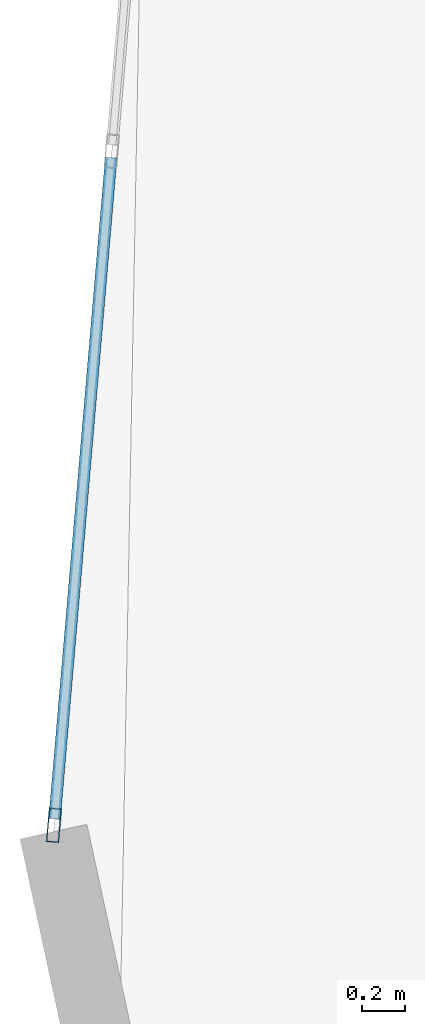
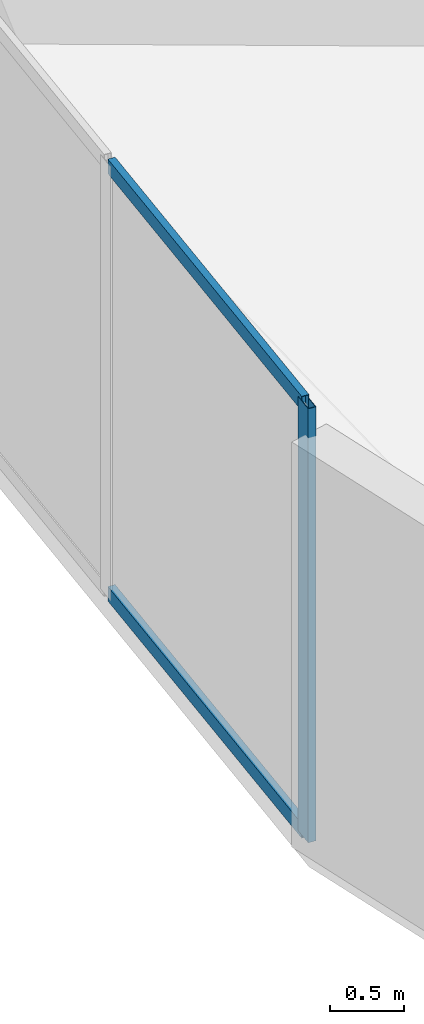
# One storey, part 7 of 23: 3 members, 1 element without a shape of its own.
"""IFC4 building model written with IfcOpenShell, lengths in metres."""

from ifc_helpers import new_model, si_unit, direction, frame, origin, origin_2d, place, context, subcontext, project, spatial, hollow_rectangle, extrude, source, transform, mapped, material, layer, layer_set, material_profile, profile_set, type_object, element, aggregate, save


model = new_model("IFC4")

# Units and contexts
model_context = context("Model", 3, precision=1e-05, world=origin(), true_north=direction((0.0, 1.0)))
body_context = subcontext(model_context, "Body", "Model", "MODEL_VIEW")
ifc_project = project(units=[si_unit("LENGTHUNIT", "METRE"), si_unit("AREAUNIT", "SQUARE_METRE"), si_unit("VOLUMEUNIT", "CUBIC_METRE"), si_unit("PLANEANGLEUNIT", "RADIAN"), si_unit("MASSUNIT", "GRAM", prefix="KILO")], contexts=[model_context])

# Site, building, storey
site_placement = place(None, origin())
site = spatial("IfcSite", under=ifc_project, at=site_placement, CompositionType="ELEMENT")
building_placement = place(site_placement, origin())
building = spatial("IfcBuilding", under=site, at=building_placement, Name="Solvirekh Grand Hotel", CompositionType="ELEMENT")
storey_placement = place(building_placement, frame((0.0, 0.0, 180.39990234375)))
storey = spatial("IfcBuildingStorey", under=building, at=storey_placement, Name="L46", CompositionType="ELEMENT", Elevation=180.39990234375)

# Curtain wall, members
ifc_material = material(Name="Anodized Bronze Aluminium 6063-T6", Category="aluminium")
ifc_layer = layer(ifc_material, 0.159912109375)
ifc_layer_set = layer_set([ifc_layer], Name="Anodized Bronze Aluminium 6063-T6")
curtain_wall_type = type_object("IfcCurtainWallType", Name="CW_Sys4_HighZoneFlushBronzeCW", PredefinedType="NOTDEFINED", material=ifc_layer_set)
curtain_wall_placement = place(storey_placement, origin())
curtain_wall = element("IfcCurtainWall", 1, at=curtain_wall_placement, inside=storey, type_object=curtain_wall_type, Name="L46 unitised bronze-glass curtain wall CW-L46-C13", PredefinedType="NOTDEFINED")
ifc_material_profile_1 = material_profile(ifc_material, hollow_rectangle(XDim=0.06005859375, YDim=0.159912109375, WallThickness=0.0048828125, at=origin_2d()), Name="ALU RHS 160X60X5")
ifc_profile_set_1 = profile_set([ifc_material_profile_1], Name="Anodized Bronze Aluminium 6063-T6")
member_type_1 = type_object("IfcMemberType", Name="CWMullion_Sys4", PredefinedType="MULLION", material=ifc_profile_set_1)
shared_shape_1 = source(origin(), body_context, "Body", "SweptSolid", [
    extrude(hollow_rectangle(XDim=0.06005859375, YDim=0.159912109375, WallThickness=0.0048828125, at=origin_2d()), origin(), (0.0, 0.0, 1.0), 3.60009765625),
])
member_1_placement = place(storey_placement, frame((-21.1025390625, 1.25390625, 0.0), z_axis=(0.0, 0.0, 1.0), x_axis=(0.996355395292, -0.085299040279, 0.0)))
member_1 = element("IfcMember", 2, at=member_1_placement, type_object=member_type_1, Name="U04 mullion 3", PredefinedType="MULLION", context=body_context, shape_type="MappedRepresentation", body=[
    mapped(shared_shape_1, transform((0.0, 0.0, 0.0), x_axis=(1.0, 0.0, 0.0), y_axis=(0.0, 1.0, 0.0), z_axis=(0.0, 0.0, 1.0), scale=1.0)),
])
ifc_material_profile_2 = material_profile(ifc_material, hollow_rectangle(XDim=0.054931640625, YDim=0.1201171875, WallThickness=0.00390625, at=origin_2d()), Name="ALU RHS 120X55X4")
ifc_profile_set_2 = profile_set([ifc_material_profile_2], Name="Anodized Bronze Aluminium 6063-T6")
member_type_2 = type_object("IfcMemberType", Name="CWTransom_Sys4", PredefinedType="USERDEFINED", material=ifc_profile_set_2)
shared_shape_2 = source(origin(), body_context, "Body", "SweptSolid", [
    extrude(hollow_rectangle(XDim=0.054931640625, YDim=0.1201171875, WallThickness=0.00390625, at=origin_2d()), origin(), (0.0, 0.0, 1.0), 3.104736328125),
])
member_2_placement = place(storey_placement, frame((-20.8349609375, 4.377197265625, 0.027587890625), z_axis=(-0.085316391133, -0.996353909715, 0.0), x_axis=(0.996353909715, -0.085316391133, 0.0)))
member_2 = element("IfcMember", 3, at=member_2_placement, type_object=member_type_2, Name="U04 transom 2.1", ObjectType="TRANSOM", PredefinedType="USERDEFINED", context=body_context, shape_type="MappedRepresentation", body=[
    mapped(shared_shape_2, transform((0.0, 0.0, 0.0), x_axis=(1.0, 0.0, 0.0), y_axis=(0.0, 1.0, 0.0), z_axis=(0.0, 0.0, 1.0), scale=1.0)),
])
member_3_placement = place(storey_placement, frame((-20.8349609375, 4.377197265625, 3.572509765625), z_axis=(-0.085316391133, -0.996353909715, 0.0), x_axis=(0.996353909715, -0.085316391133, 0.0)))
member_3 = element("IfcMember", 4, at=member_3_placement, type_object=member_type_2, Name="U04 transom 2.2", ObjectType="TRANSOM", PredefinedType="USERDEFINED", context=body_context, shape_type="MappedRepresentation", body=[
    mapped(shared_shape_2, transform((0.0, 0.0, 0.0), x_axis=(1.0, 0.0, 0.0), y_axis=(0.0, 1.0, 0.0), z_axis=(0.0, 0.0, 1.0), scale=1.0)),
])
aggregate(curtain_wall, [member_1, member_2, member_3])

save(model, "model.ifc")
